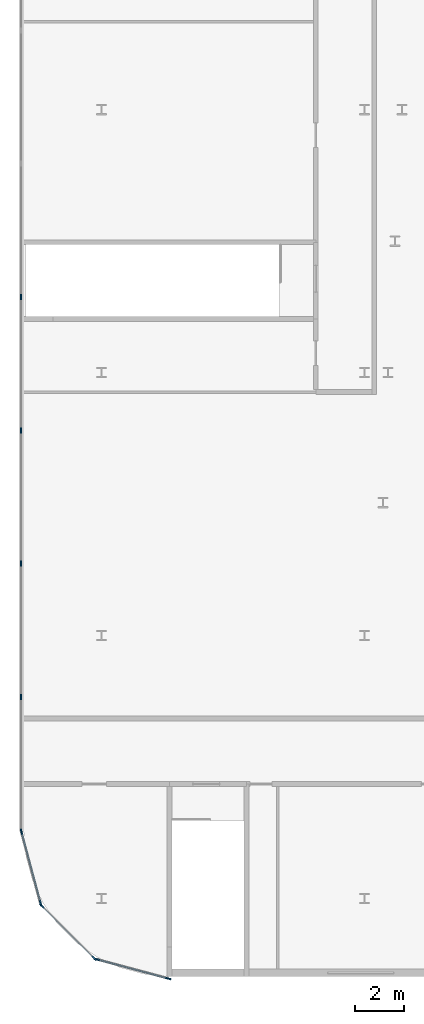
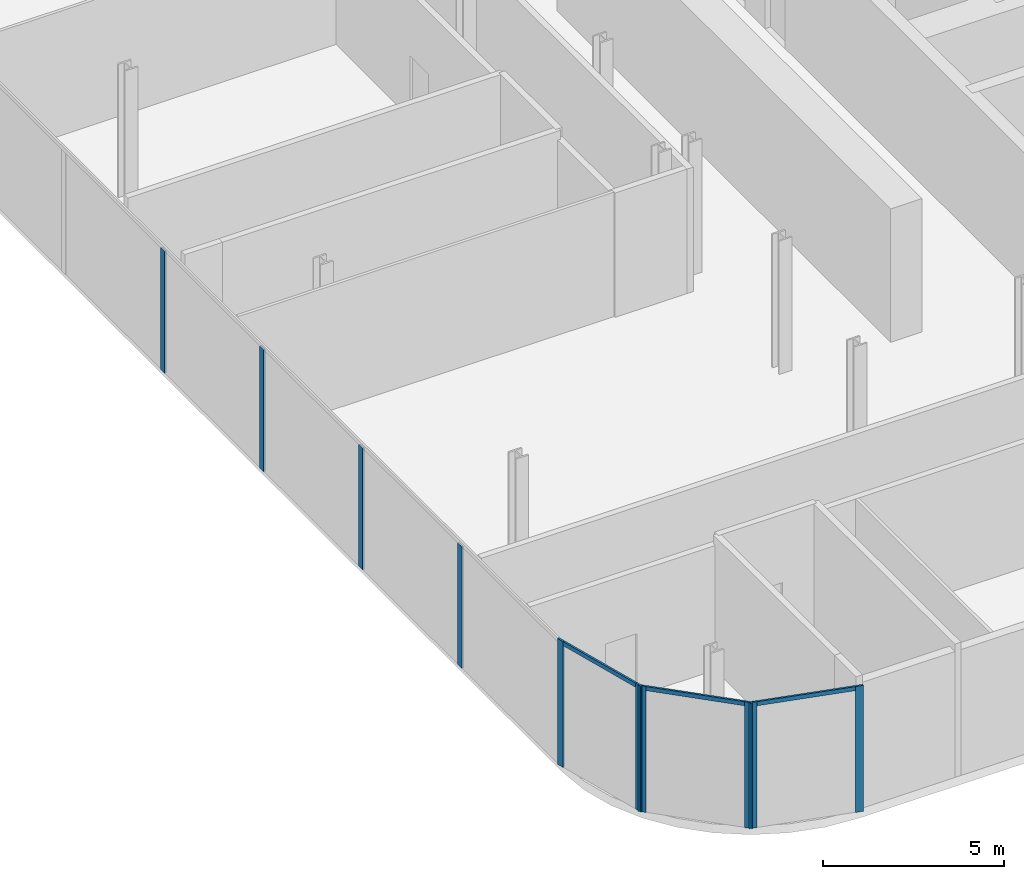
# One storey, part 6 of 43: 13 members, 4 elements without a shape of their own.
"""IFC4 building model written with IfcOpenShell, lengths in metres."""

import ifcopenshell
import ifcopenshell.guid

model = None  # the IFC model being written
_history = None  # IfcOwnerHistory: only IFC2X3 demands one
_inside = {}  # id of a spatial element -> (the spatial element, [elements in it])
_under = {}  # id of a project, library or spatial element -> (it, [spatial elements below it])
_declared = {}  # id of a project -> (the project, [libraries it declares])
_typed = {}  # id of a type object -> (the type object, [elements of that type])
_made_of = {}  # id of a material, layer set ... -> (it, [elements and type objects made of it])


def new_model(schema):
    """Start an empty IFC model of exactly this schema.

    Asked for "IFC4X3", IfcOpenShell would pick the latest addendum, in which some entities
    have other attributes; the version numbers below select the first issue.
    IFC2X3 requires an IfcOwnerHistory on every rooted entity: one is made here for all.
    """
    global model, _history
    if schema == "IFC4X3":
        model = ifcopenshell.file(schema_version=(4, 3, 0, 0))
    else:
        model = ifcopenshell.file(schema=schema)
    _inside.clear()
    _under.clear()
    _declared.clear()
    _typed.clear()
    _made_of.clear()
    _history = None
    if model.schema == "IFC2X3":
        org = make("IfcOrganization", Name="unknown")
        user = make(
            "IfcPersonAndOrganization",
            ThePerson=make("IfcPerson", FamilyName="unknown"),
            TheOrganization=org,
        )
        app = make(
            "IfcApplication",
            ApplicationDeveloper=org,
            Version="unknown",
            ApplicationFullName="unknown",
            ApplicationIdentifier="unknown",
        )
        _history = make(
            "IfcOwnerHistory",
            OwningUser=user,
            OwningApplication=app,
            ChangeAction="ADDED",
            CreationDate=0,
        )
    return model


def make(cls, **values):
    """One entity of the class cls with the attributes given. An attribute that is None is left unset."""
    return model.create_entity(
        cls, **{name: value for name, value in values.items() if value is not None}
    )


def rooted(cls, **values):
    """An entity with a GlobalId (a new one), such as an element, a storey or a relation."""
    return make(cls, GlobalId=ifcopenshell.guid.new(), OwnerHistory=_history, **values)


def si_unit(unit_type, name, prefix=None):
    """IfcSIUnit, for example si_unit("LENGTHUNIT", "METRE", prefix="MILLI")."""
    return make("IfcSIUnit", UnitType=unit_type, Prefix=prefix, Name=name)


def assignment(units):
    """IfcUnitAssignment: the units of a project."""
    return None if units is None else make("IfcUnitAssignment", Units=units)


def point(xyz):
    """IfcCartesianPoint."""
    return None if xyz is None else make("IfcCartesianPoint", Coordinates=xyz)


def direction(xyz):
    """IfcDirection."""
    return None if xyz is None else make("IfcDirection", DirectionRatios=xyz)


def frame(location, z_axis=None, x_axis=None):
    """IfcAxis2Placement3D, a coordinate frame: its origin and axes. An axis left out is left unset."""
    return make(
        "IfcAxis2Placement3D",
        Location=point(location),
        Axis=direction(z_axis),
        RefDirection=direction(x_axis),
    )


def frame_2d(location, x_axis=None):
    """IfcAxis2Placement2D, a coordinate frame in the plane: its origin and x axis."""
    return make(
        "IfcAxis2Placement2D", Location=point(location), RefDirection=direction(x_axis)
    )


def origin():
    """The frame at (0, 0, 0) with its axes left unset."""
    return frame((0.0, 0.0, 0.0))


def origin_2d():
    """The frame at (0, 0) in the plane with its x axis left unset."""
    return frame_2d((0.0, 0.0))


def place(relative_to, where):
    """IfcLocalPlacement: puts the frame where relative to a parent placement (None: the world)."""
    return make(
        "IfcLocalPlacement", PlacementRelTo=relative_to, RelativePlacement=where
    )


def context(
    kind, dimensions, precision=None, world=None, true_north=None, identifier=None
):
    """IfcGeometricRepresentationContext, for example the 3D "Model" context."""
    return make(
        "IfcGeometricRepresentationContext",
        ContextIdentifier=identifier,
        ContextType=kind,
        CoordinateSpaceDimension=dimensions,
        Precision=precision,
        WorldCoordinateSystem=world,
        TrueNorth=true_north,
    )


def subcontext(parent, identifier, kind, view, scale=None):
    """IfcGeometricRepresentationSubContext, for example "Body" below "Model"."""
    return make(
        "IfcGeometricRepresentationSubContext",
        ContextIdentifier=identifier,
        ContextType=kind,
        ParentContext=parent,
        TargetScale=scale,
        TargetView=view,
    )


def project(units=None, contexts=None):
    """IfcProject with its units and contexts."""
    return rooted(
        "IfcProject",
        Name="project",
        RepresentationContexts=contexts,
        UnitsInContext=assignment(units),
    )


def spatial(cls, under=None, at=None, **own):
    """A site, building, storey or space (cls), placed at a placement, below another one or the project."""
    s = rooted(cls, ObjectPlacement=at, **own)
    if under is not None:
        _under.setdefault(under.id(), (under, []))[1].append(s)
    return s


def profile(cls, at=None, kind="AREA", **sizes):
    """A parametric profile (cls). Its sizes go by their IFC names, for example OverallWidth=200.0."""
    return make(cls, ProfileType=kind, Position=at, **sizes)


def rectangle(**sizes):
    """IfcRectangleProfileDef."""
    return profile("IfcRectangleProfileDef", **sizes)


def extrude(swept, where, along, depth):
    """IfcExtrudedAreaSolid: the profile swept, set in the frame where, extruded along a direction by depth."""
    return make(
        "IfcExtrudedAreaSolid",
        SweptArea=swept,
        Position=where,
        ExtrudedDirection=direction(along),
        Depth=depth,
    )


def shape(context_of_items, identifier, shape_type, items):
    """IfcShapeRepresentation: the items that make up one representation, for example the "Body"."""
    return make(
        "IfcShapeRepresentation",
        ContextOfItems=context_of_items,
        RepresentationIdentifier=identifier,
        RepresentationType=shape_type,
        Items=items,
    )


def material(Name=None, Category=None):
    """IfcMaterial."""
    return make("IfcMaterial", Name=Name, Category=Category)


def layer(
    of_material, thickness, ventilated=None, Name=None, Category=None, Priority=None
):
    """IfcMaterialLayer: one layer of a wall or slab, of a material (None: an air gap)."""
    return make(
        "IfcMaterialLayer",
        Material=of_material,
        LayerThickness=thickness,
        IsVentilated=ventilated,
        Name=Name,
        Category=Category,
        Priority=Priority,
    )


def layer_set(layers, Name=None):
    """IfcMaterialLayerSet."""
    return make("IfcMaterialLayerSet", MaterialLayers=layers, LayerSetName=Name)


def material_profile(
    of_material, cross_section, Name=None, Category=None, Priority=None
):
    """IfcMaterialProfile: a cross section and its material."""
    return make(
        "IfcMaterialProfile",
        Name=Name,
        Material=of_material,
        Profile=cross_section,
        Priority=Priority,
        Category=Category,
    )


def profile_set(profiles, Name=None, composite=None):
    """IfcMaterialProfileSet."""
    return make(
        "IfcMaterialProfileSet",
        Name=Name,
        MaterialProfiles=profiles,
        CompositeProfile=composite,
    )


def made_of(thing, what):
    """Note that an element or type object is made of a material, layer set ...; save() writes the relation."""
    if what is not None:
        _made_of.setdefault(what.id(), (what, []))[1].append(thing)
    return thing


def type_object(cls, material=None, **own):
    """A type object (cls), such as IfcWallType, which elements share."""
    return made_of(rooted(cls, **own), material)


def element(
    cls,
    number,
    at=None,
    inside=None,
    cuts=None,
    type_object=None,
    material=None,
    context=None,
    identifier="Body",
    shape_type=None,
    held_by="IfcProductDefinitionShape",
    body=None,
    shapes=None,
    **own,
):
    """One element of the class cls, such as IfcWall. Its Tag is "e" and its number.

    at: its placement. inside: the storey or other place that contains it. cuts: it is an
    opening in that element (IfcRelVoidsElement). A single representation is given by context,
    identifier, shape_type and body (its items); several are given by shapes. held_by: the class
    of the entity that holds the representations. save() writes the other relations.
    """
    e = rooted(cls, Tag="e%d" % number, ObjectPlacement=at, **own)
    if body is not None:
        shapes = [shape(context, identifier, shape_type, body)]
    if shapes is not None:
        e.Representation = make(held_by, Representations=shapes)
    if inside is not None:
        _inside.setdefault(inside.id(), (inside, []))[1].append(e)
    if cuts is not None:
        rooted(
            "IfcRelVoidsElement", RelatingBuildingElement=cuts, RelatedOpeningElement=e
        )
    if type_object is not None:
        _typed.setdefault(type_object.id(), (type_object, []))[1].append(e)
    return made_of(e, material)


def aggregate(whole, parts):
    """IfcRelAggregates: a whole, such as a stair, and the parts it consists of."""
    return rooted("IfcRelAggregates", RelatingObject=whole, RelatedObjects=parts)


def save(model, path):
    """Write the relations noted so far, then the file.

    IfcRelAggregates (storeys below a building ...), IfcRelContainedInSpatialStructure (elements
    in a storey), IfcRelDefinesByType, IfcRelAssociatesMaterial and IfcRelDeclares: one each for
    every whole, place, type object, material and project.
    """
    for whole, parts in _under.values():
        aggregate(whole, parts)
    for where, things in _inside.values():
        rooted(
            "IfcRelContainedInSpatialStructure",
            RelatedElements=things,
            RelatingStructure=where,
        )
    for kind, things in _typed.values():
        rooted("IfcRelDefinesByType", RelatedObjects=things, RelatingType=kind)
    for what, things in _made_of.values():
        rooted("IfcRelAssociatesMaterial", RelatedObjects=things, RelatingMaterial=what)
    for by, libraries in _declared.values():
        rooted("IfcRelDeclares", RelatingContext=by, RelatedDefinitions=libraries)
    model.write(path)


model = new_model("IFC4")

# Units and contexts
model_context = context("Model", 3, precision=1e-05, world=origin(), true_north=direction((0.0, 1.0)))
body_context = subcontext(model_context, "Body", "Model", "MODEL_VIEW")
ifc_project = project(units=[si_unit("LENGTHUNIT", "METRE"), si_unit("AREAUNIT", "SQUARE_METRE"), si_unit("VOLUMEUNIT", "CUBIC_METRE"), si_unit("PLANEANGLEUNIT", "RADIAN"), si_unit("MASSUNIT", "GRAM", prefix="KILO")], contexts=[model_context])

# Site, building, storey
site_placement = place(None, origin())
site = spatial("IfcSite", under=ifc_project, at=site_placement, CompositionType="ELEMENT")
building_placement = place(site_placement, origin())
building = spatial("IfcBuilding", under=site, at=building_placement, Name="Kheshtan School and Residences Tower", CompositionType="ELEMENT")
storey_placement = place(building_placement, frame((0.0, 0.0, 26.0)))
storey = spatial("IfcBuildingStorey", under=building, at=storey_placement, Name="L05", CompositionType="ELEMENT", Elevation=26.0)

# Curtain wall, members
ifc_material_1 = material(Name="Clear low-e glass in thermally broken aluminium frame", Category="aluminium")
ifc_layer = layer(ifc_material_1, 0.22509765625)
ifc_layer_set = layer_set([ifc_layer], Name="Curtain wall CW-P")
curtain_wall_type = type_object("IfcCurtainWallType", Name="Curtain wall CW-P", PredefinedType="NOTDEFINED", material=ifc_layer_set)
curtain_wall_1_placement = place(storey_placement, origin())
curtain_wall_1 = element("IfcCurtainWall", 1, at=curtain_wall_1_placement, inside=storey, type_object=curtain_wall_type, Name="Curtain wall CWP13a", PredefinedType="NOTDEFINED")
ifc_material_2 = material(Name="Thermally broken aluminium, dark bronze anodised", Category="aluminium")
ifc_material_profile_1 = material_profile(ifc_material_2, rectangle(XDim=0.06005859375, YDim=0.22509765625, at=origin_2d()), Name="CW-P mullion 60x225")
ifc_profile_set_1 = profile_set([ifc_material_profile_1], Name="Thermally broken aluminium, dark bronze anodised")
member_type_1 = type_object("IfcMemberType", Name="CW-P mullion 60x225", PredefinedType="MULLION", material=ifc_profile_set_1)
member_1_placement = place(storey_placement, frame((17.945068359375, 9.9111328125, 0.0), z_axis=(0.0, 0.0, 1.0), x_axis=(-0.258864833085, -0.965913556273, 0.0)))
member_1 = element("IfcMember", 2, at=member_1_placement, type_object=member_type_1, Name="CWP13a mullion 1", PredefinedType="MULLION", context=body_context, shape_type="SweptSolid", body=[
    extrude(rectangle(XDim=0.06005859375, YDim=0.22509765625, at=origin_2d()), origin(), (0.0, 0.0, 1.0), 4.25),
])
member_2_placement = place(storey_placement, frame((15.003173828125, 10.69970703125, 0.0), z_axis=(0.0, 0.0, 1.0), x_axis=(-0.258864833085, -0.965913556273, 0.0)))
member_2 = element("IfcMember", 3, at=member_2_placement, type_object=member_type_1, Name="CWP13a mullion 2", PredefinedType="MULLION", context=body_context, shape_type="SweptSolid", body=[
    extrude(rectangle(XDim=0.06005859375, YDim=0.22509765625, at=origin_2d()), origin(), (0.0, 0.0, 1.0), 4.25),
])

curtain_wall_2_placement = place(storey_placement, origin())
curtain_wall_2 = element("IfcCurtainWall", 4, at=curtain_wall_2_placement, inside=storey, type_object=curtain_wall_type, Name="Curtain wall CWP14a", PredefinedType="NOTDEFINED")
member_3_placement = place(storey_placement, frame((14.907958984375, 10.75439453125, 0.0), z_axis=(0.0, 0.0, 1.0), x_axis=(-0.707106781187, -0.707106781187, 0.0)))
member_3 = element("IfcMember", 5, at=member_3_placement, type_object=member_type_1, Name="CWP14a mullion 1", PredefinedType="MULLION", context=body_context, shape_type="SweptSolid", body=[
    extrude(rectangle(XDim=0.06005859375, YDim=0.22509765625, at=origin_2d()), origin(), (0.0, 0.0, 1.0), 4.25),
])
member_4_placement = place(storey_placement, frame((12.75439453125, 12.907958984375, 0.0), z_axis=(0.0, 0.0, 1.0), x_axis=(-0.707106781187, -0.707106781187, 0.0)))
member_4 = element("IfcMember", 6, at=member_4_placement, type_object=member_type_1, Name="CWP14a mullion 2", PredefinedType="MULLION", context=body_context, shape_type="SweptSolid", body=[
    extrude(rectangle(XDim=0.06005859375, YDim=0.22509765625, at=origin_2d()), origin(), (0.0, 0.0, 1.0), 4.25),
])

curtain_wall_3_placement = place(storey_placement, origin())
curtain_wall_3 = element("IfcCurtainWall", 7, at=curtain_wall_3_placement, inside=storey, type_object=curtain_wall_type, Name="Curtain wall CWP15a", PredefinedType="NOTDEFINED")
member_5_placement = place(storey_placement, frame((12.69970703125, 13.003173828125, 0.0), z_axis=(0.0, 0.0, 1.0), x_axis=(-0.965913556273, -0.258864833085, 0.0)))
member_5 = element("IfcMember", 8, at=member_5_placement, type_object=member_type_1, Name="CWP15a mullion 1", PredefinedType="MULLION", context=body_context, shape_type="SweptSolid", body=[
    extrude(rectangle(XDim=0.06005859375, YDim=0.22509765625, at=origin_2d()), origin(), (0.0, 0.0, 1.0), 4.25),
])
member_6_placement = place(storey_placement, frame((11.9111328125, 15.945068359375, 0.0), z_axis=(0.0, 0.0, 1.0), x_axis=(-0.965913556273, -0.258864833085, 0.0)))
member_6 = element("IfcMember", 9, at=member_6_placement, type_object=member_type_1, Name="CWP15a mullion 2", PredefinedType="MULLION", context=body_context, shape_type="SweptSolid", body=[
    extrude(rectangle(XDim=0.06005859375, YDim=0.22509765625, at=origin_2d()), origin(), (0.0, 0.0, 1.0), 4.25),
])

curtain_wall_4_placement = place(storey_placement, origin())
curtain_wall_4 = element("IfcCurtainWall", 10, at=curtain_wall_4_placement, inside=storey, type_object=curtain_wall_type, Name="Curtain wall CWP16a", PredefinedType="NOTDEFINED")
member_7_placement = place(storey_placement, frame((11.89990234375, 21.4755859375, 0.0), z_axis=(0.0, 0.0, 1.0), x_axis=(-1.0, 0.0, 0.0)))
member_7 = element("IfcMember", 11, at=member_7_placement, type_object=member_type_1, Name="CWP16a mullion 2", PredefinedType="MULLION", context=body_context, shape_type="SweptSolid", body=[
    extrude(rectangle(XDim=0.06005859375, YDim=0.22509765625, at=origin_2d()), origin(), (0.0, 0.0, 1.0), 4.110107421875),
])
member_8_placement = place(storey_placement, frame((11.89990234375, 26.951171875, 0.0), z_axis=(0.0, 0.0, 1.0), x_axis=(-1.0, 0.0, 0.0)))
member_8 = element("IfcMember", 12, at=member_8_placement, type_object=member_type_1, Name="CWP16a mullion 3", PredefinedType="MULLION", context=body_context, shape_type="SweptSolid", body=[
    extrude(rectangle(XDim=0.06005859375, YDim=0.22509765625, at=origin_2d()), origin(), (0.0, 0.0, 1.0), 4.110107421875),
])
member_9_placement = place(storey_placement, frame((11.89990234375, 32.4267578125, 0.0), z_axis=(0.0, 0.0, 1.0), x_axis=(-1.0, 0.0, 0.0)))
member_9 = element("IfcMember", 13, at=member_9_placement, type_object=member_type_1, Name="CWP16a mullion 4", PredefinedType="MULLION", context=body_context, shape_type="SweptSolid", body=[
    extrude(rectangle(XDim=0.06005859375, YDim=0.22509765625, at=origin_2d()), origin(), (0.0, 0.0, 1.0), 4.110107421875),
])
member_10_placement = place(storey_placement, frame((11.89990234375, 37.90234375, 0.0), z_axis=(0.0, 0.0, 1.0), x_axis=(-1.0, 0.0, 0.0)))
member_10 = element("IfcMember", 14, at=member_10_placement, type_object=member_type_1, Name="CWP16a mullion 5", PredefinedType="MULLION", context=body_context, shape_type="SweptSolid", body=[
    extrude(rectangle(XDim=0.06005859375, YDim=0.22509765625, at=origin_2d()), origin(), (0.0, 0.0, 1.0), 4.110107421875),
])
aggregate(curtain_wall_4, [member_7, member_8, member_9, member_10])

# Member
ifc_material_profile_2 = material_profile(ifc_material_2, rectangle(XDim=0.06005859375, YDim=0.139892578125, at=origin_2d()), Name="CW-P transom 60x140")
ifc_profile_set_2 = profile_set([ifc_material_profile_2], Name="Thermally broken aluminium, dark bronze anodised")
member_type_2 = type_object("IfcMemberType", Name="CW-P transom 60x140", PredefinedType="USERDEFINED", material=ifc_profile_set_2)
member_11_placement = place(storey_placement, frame((17.916259765625, 9.9189453125, 4.179931640625), z_axis=(-0.965916663607, 0.258853238275, 0.0), x_axis=(-0.258853238275, -0.965916663607, 0.0)))
member_11 = element("IfcMember", 15, at=member_11_placement, type_object=member_type_2, Name="CWP13a transom 1", ObjectType="TRANSOM", PredefinedType="USERDEFINED", context=body_context, shape_type="SweptSolid", body=[
    extrude(rectangle(XDim=0.06005859375, YDim=0.139892578125, at=origin_2d()), origin(), (0.0, 0.0, 1.0), 2.986083984375),
])

aggregate(curtain_wall_1, [member_1, member_2, member_11])

member_12_placement = place(storey_placement, frame((14.886962890625, 10.775634765625, 4.179931640625), z_axis=(-0.707106781187, 0.707106781187, 0.0), x_axis=(-0.707106781187, -0.707106781187, 0.0)))
member_12 = element("IfcMember", 16, at=member_12_placement, type_object=member_type_2, Name="CWP14a transom 1", ObjectType="TRANSOM", PredefinedType="USERDEFINED", context=body_context, shape_type="SweptSolid", body=[
    extrude(rectangle(XDim=0.06005859375, YDim=0.139892578125, at=origin_2d()), origin(), (0.0, 0.0, 1.0), 2.98583984375),
])

aggregate(curtain_wall_2, [member_3, member_4, member_12])

member_13_placement = place(storey_placement, frame((12.69189453125, 13.031982421875, 4.179931640625), z_axis=(-0.258853238275, 0.965916663607, 0.0), x_axis=(-0.965916663607, -0.258853238275, 0.0)))
member_13 = element("IfcMember", 17, at=member_13_placement, type_object=member_type_2, Name="CWP15a transom 1", ObjectType="TRANSOM", PredefinedType="USERDEFINED", context=body_context, shape_type="SweptSolid", body=[
    extrude(rectangle(XDim=0.06005859375, YDim=0.139892578125, at=origin_2d()), origin(), (0.0, 0.0, 1.0), 2.986083984375),
])

aggregate(curtain_wall_3, [member_5, member_6, member_13])

save(model, "model.ifc")
